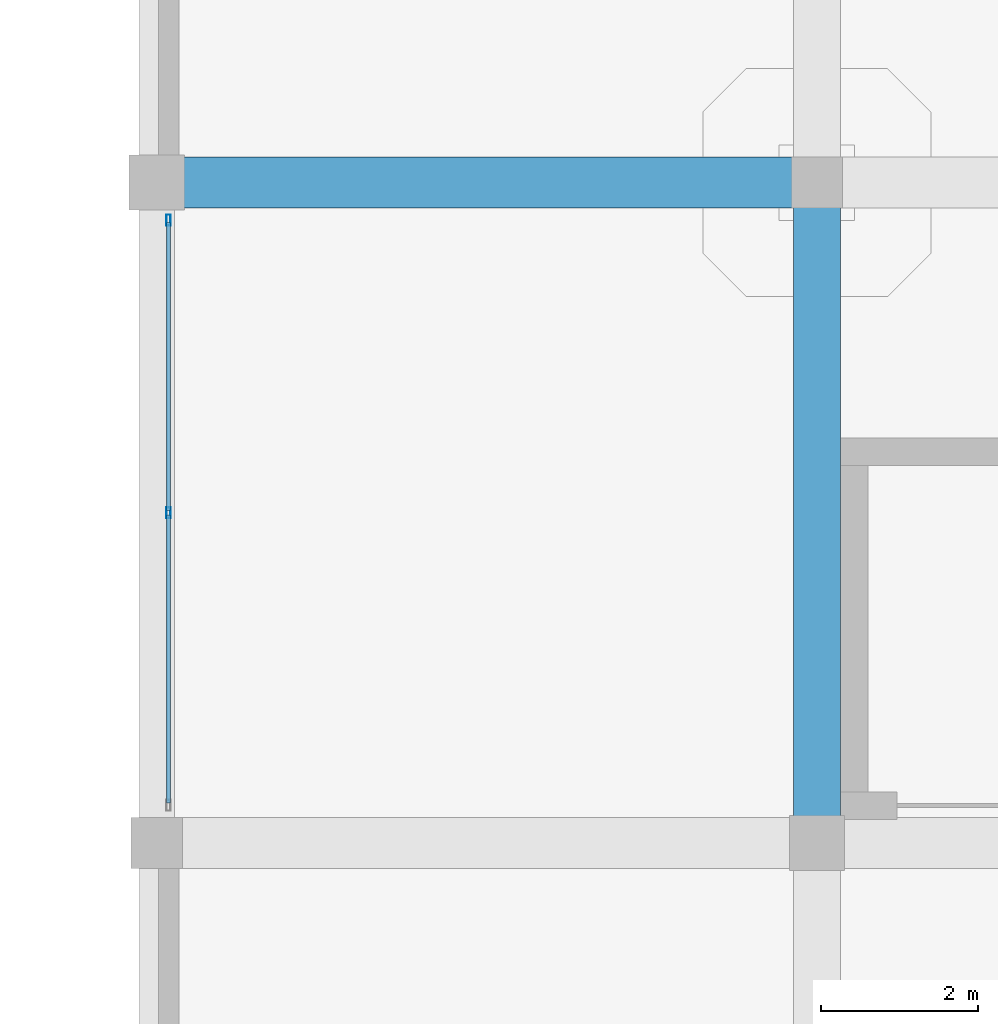
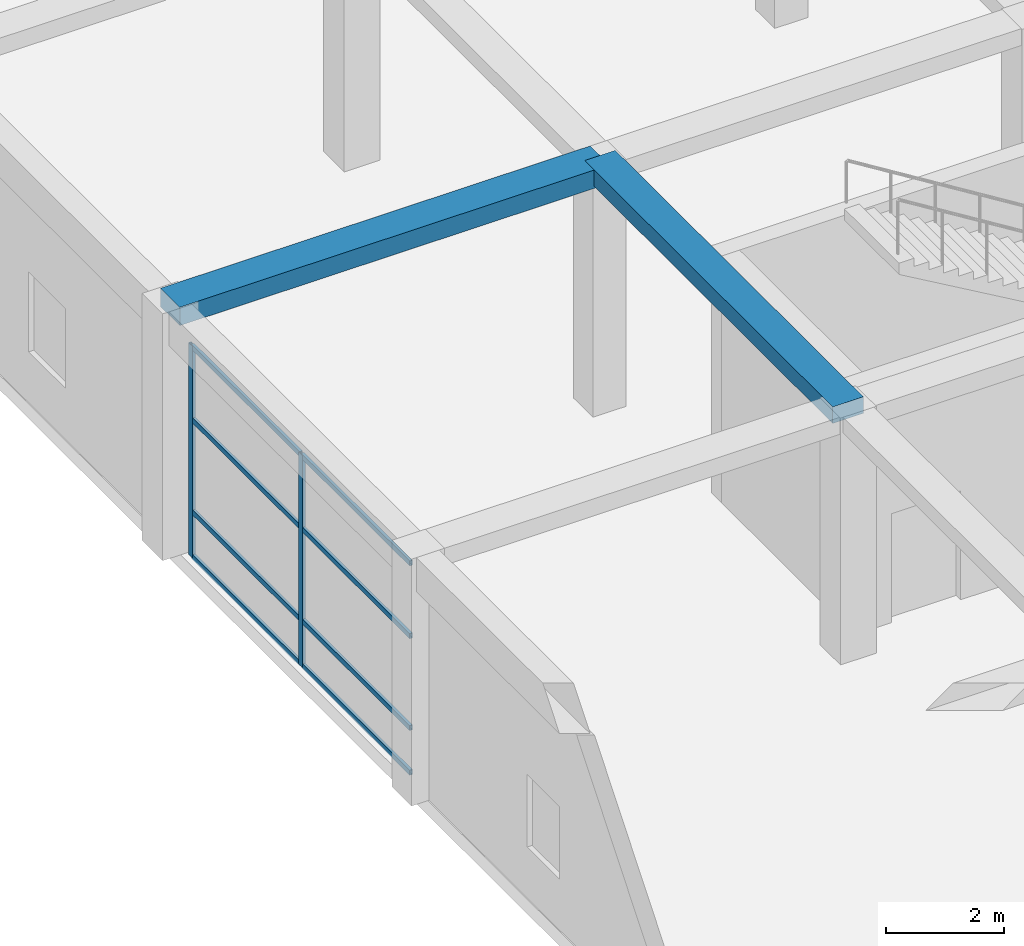
# One storey, part 29 of 95: 10 members, 2 beams, 1 element without a shape of its own.
"""IFC4 building model written with IfcOpenShell, lengths in metres."""

from ifc_helpers import new_model, si_unit, direction, frame, origin, origin_2d, place, context, subcontext, project, spatial, rectangle, hollow_rectangle, extrude, material, material_profile, profile_set, type_object, element, aggregate, save


model = new_model("IFC4")

# Units and contexts
model_context = context("Model", 3, precision=1e-05, world=origin(), true_north=direction((0.0, 1.0)))
body_context = subcontext(model_context, "Body", "Model", "MODEL_VIEW")
ifc_project = project(units=[si_unit("LENGTHUNIT", "METRE"), si_unit("AREAUNIT", "SQUARE_METRE"), si_unit("VOLUMEUNIT", "CUBIC_METRE"), si_unit("PLANEANGLEUNIT", "RADIAN"), si_unit("MASSUNIT", "GRAM", prefix="KILO")], contexts=[model_context])

# Site, building, storey
site_placement = place(None, origin())
site = spatial("IfcSite", under=ifc_project, at=site_placement, CompositionType="ELEMENT")
building_placement = place(site_placement, origin())
building = spatial("IfcBuilding", under=site, at=building_placement, Name="Almacenes y Pasaje Nevantli", CompositionType="ELEMENT")
storey_placement = place(building_placement, frame((0.0, 0.0, 11.39990234375)))
storey = spatial("IfcBuildingStorey", under=building, at=storey_placement, Name="L03", CompositionType="ELEMENT", Elevation=11.39990234375)

# Beams
ifc_material_1 = material(Name="Concrete C35/45", Category="concrete")
ifc_material_profile_1 = material_profile(ifc_material_1, rectangle(XDim=0.60009765625, YDim=0.340087890625, at=origin_2d()), Name="RC-BM-600x340")
ifc_profile_set_1 = profile_set([ifc_material_profile_1], Name="Concrete C35/45")
beam_type_1 = type_object("IfcBeamType", Name="BM-RC-600x340", PredefinedType="BEAM", material=ifc_profile_set_1)
beam_1_placement = place(storey_placement, frame((8.39990234375, 58.800048828125, 4.93017578125), z_axis=(0.0, 1.0, 0.0), x_axis=(-1.0, 0.0, 0.0)))
element("IfcBeam", 1, at=beam_1_placement, inside=storey, type_object=beam_type_1, Name="L03 North-South Reinforced Concrete Beam #2495", PredefinedType="BEAM", context=body_context, shape_type="SweptSolid", body=[
    extrude(rectangle(XDim=0.60009765625, YDim=0.340087890625, at=origin_2d()), origin(), (0.0, 0.0, 1.0), 8.39990234375),
])
ifc_material_2 = material(Name="Concrete C35/45", Category="concrete")
ifc_material_profile_2 = material_profile(ifc_material_2, rectangle(XDim=0.64990234375, YDim=0.3798828125, at=origin_2d()), Name="RC-BM-650x380")
ifc_profile_set_2 = profile_set([ifc_material_profile_2], Name="Concrete C35/45")
beam_type_2 = type_object("IfcBeamType", Name="BM-RC-650x380", PredefinedType="BEAM", material=ifc_profile_set_2)
beam_2_placement = place(storey_placement, frame((0.0, 67.199951171875, 4.91015625), z_axis=(1.0, 0.0, 0.0), x_axis=(0.0, 1.0, 0.0)))
element("IfcBeam", 2, at=beam_2_placement, inside=storey, type_object=beam_type_2, Name="L03 East-West Reinforced Concrete Beam #2361", PredefinedType="BEAM", context=body_context, shape_type="SweptSolid", body=[
    extrude(rectangle(XDim=0.64990234375, YDim=0.3798828125, at=origin_2d()), origin(), (0.0, 0.0, 1.0), 8.39990234375),
])

# Curtain wall, members
ifc_material_3 = material(Name="Thermally Broken Aluminium and Low-E Glass", Category="aluminium")
curtain_wall_type = type_object("IfcCurtainWallType", Name="CW-UNIT-PODIUM", PredefinedType="USERDEFINED", material=ifc_material_3)
curtain_wall_placement = place(storey_placement, origin())
curtain_wall = element("IfcCurtainWall", 3, at=curtain_wall_placement, inside=storey, type_object=curtain_wall_type, Name="L03 West Avenue Unitized Curtain Wall Bay 8", ObjectType="UNITIZED CURTAIN WALL", PredefinedType="USERDEFINED")
ifc_material_4 = material(Name="Thermally Broken Anodized Aluminium", Category="aluminium")
ifc_material_profile_3 = material_profile(ifc_material_4, hollow_rectangle(XDim=0.054931640625, YDim=0.139892578125, WallThickness=0.00341796875, at=origin_2d()), Name="ALU-MUL-55x140")
ifc_profile_set_3 = profile_set([ifc_material_profile_3], Name="Thermally Broken Anodized Aluminium")
member_type_1 = type_object("IfcMemberType", Name="CW-MUL-160", PredefinedType="MULLION", material=ifc_profile_set_3)
member_1_placement = place(storey_placement, frame((0.14990234375, 63.0, 0.0), z_axis=(0.0, 0.0, 1.0), x_axis=(-1.0, 0.0, 0.0)))
member_1 = element("IfcMember", 4, at=member_1_placement, type_object=member_type_1, Name="CW-L03-050 mullion 2", PredefinedType="MULLION", context=body_context, shape_type="SweptSolid", body=[
    extrude(hollow_rectangle(XDim=0.054931640625, YDim=0.139892578125, WallThickness=0.00341796875, at=origin_2d()), origin(), (0.0, 0.0, 1.0), 4.380126953125),
])
member_2_placement = place(storey_placement, frame((0.14990234375, 66.722412109375, 0.0), z_axis=(0.0, 0.0, 1.0), x_axis=(-1.0, 0.0, 0.0)))
member_2 = element("IfcMember", 5, at=member_2_placement, type_object=member_type_1, Name="CW-L03-050 mullion 3", PredefinedType="MULLION", context=body_context, shape_type="SweptSolid", body=[
    extrude(hollow_rectangle(XDim=0.054931640625, YDim=0.139892578125, WallThickness=0.00341796875, at=origin_2d()), origin(), (0.0, 0.0, 1.0), 4.380126953125),
])
ifc_material_5 = material(Name="Thermally Broken Anodized Aluminium", Category="aluminium")
ifc_material_profile_4 = material_profile(ifc_material_5, hollow_rectangle(XDim=0.054931640625, YDim=0.10498046875, WallThickness=0.003173828125, at=origin_2d()), Name="ALU-TRN-55x105")
ifc_profile_set_4 = profile_set([ifc_material_profile_4], Name="Thermally Broken Anodized Aluminium")
member_type_2 = type_object("IfcMemberType", Name="CW-TRN-120", PredefinedType="USERDEFINED", material=ifc_profile_set_4)
member_3_placement = place(storey_placement, frame((0.14990234375, 59.304931640625, 0.027587890625), z_axis=(0.0, 1.0, 0.0), x_axis=(-1.0, 0.0, 0.0)))
member_3 = element("IfcMember", 6, at=member_3_placement, type_object=member_type_2, Name="CW-L03-050 transom 1.1", ObjectType="TRANSOM", PredefinedType="USERDEFINED", context=body_context, shape_type="SweptSolid", body=[
    extrude(hollow_rectangle(XDim=0.054931640625, YDim=0.10498046875, WallThickness=0.003173828125, at=origin_2d()), origin(), (0.0, 0.0, 1.0), 3.66748046875),
])
member_4_placement = place(storey_placement, frame((0.14990234375, 59.304931640625, 0.9501953125), z_axis=(0.0, 1.0, 0.0), x_axis=(-1.0, 0.0, 0.0)))
member_4 = element("IfcMember", 7, at=member_4_placement, type_object=member_type_2, Name="CW-L03-050 transom 1.2", ObjectType="TRANSOM", PredefinedType="USERDEFINED", context=body_context, shape_type="SweptSolid", body=[
    extrude(hollow_rectangle(XDim=0.054931640625, YDim=0.10498046875, WallThickness=0.003173828125, at=origin_2d()), origin(), (0.0, 0.0, 1.0), 3.66748046875),
])
member_5_placement = place(storey_placement, frame((0.14990234375, 59.304931640625, 2.85009765625), z_axis=(0.0, 1.0, 0.0), x_axis=(-1.0, 0.0, 0.0)))
member_5 = element("IfcMember", 8, at=member_5_placement, type_object=member_type_2, Name="CW-L03-050 transom 1.3", ObjectType="TRANSOM", PredefinedType="USERDEFINED", context=body_context, shape_type="SweptSolid", body=[
    extrude(hollow_rectangle(XDim=0.054931640625, YDim=0.10498046875, WallThickness=0.003173828125, at=origin_2d()), origin(), (0.0, 0.0, 1.0), 3.66748046875),
])
member_6_placement = place(storey_placement, frame((0.14990234375, 59.304931640625, 4.3525390625), z_axis=(0.0, 1.0, 0.0), x_axis=(-1.0, 0.0, 0.0)))
member_6 = element("IfcMember", 9, at=member_6_placement, type_object=member_type_2, Name="CW-L03-050 transom 1.4", ObjectType="TRANSOM", PredefinedType="USERDEFINED", context=body_context, shape_type="SweptSolid", body=[
    extrude(hollow_rectangle(XDim=0.054931640625, YDim=0.10498046875, WallThickness=0.003173828125, at=origin_2d()), origin(), (0.0, 0.0, 1.0), 3.66748046875),
])
member_7_placement = place(storey_placement, frame((0.14990234375, 63.027587890625, 0.027587890625), z_axis=(0.0, 1.0, 0.0), x_axis=(-1.0, 0.0, 0.0)))
member_7 = element("IfcMember", 10, at=member_7_placement, type_object=member_type_2, Name="CW-L03-050 transom 2.1", ObjectType="TRANSOM", PredefinedType="USERDEFINED", context=body_context, shape_type="SweptSolid", body=[
    extrude(hollow_rectangle(XDim=0.054931640625, YDim=0.10498046875, WallThickness=0.003173828125, at=origin_2d()), origin(), (0.0, 0.0, 1.0), 3.66748046875),
])
member_8_placement = place(storey_placement, frame((0.14990234375, 63.027587890625, 0.9501953125), z_axis=(0.0, 1.0, 0.0), x_axis=(-1.0, 0.0, 0.0)))
member_8 = element("IfcMember", 11, at=member_8_placement, type_object=member_type_2, Name="CW-L03-050 transom 2.2", ObjectType="TRANSOM", PredefinedType="USERDEFINED", context=body_context, shape_type="SweptSolid", body=[
    extrude(hollow_rectangle(XDim=0.054931640625, YDim=0.10498046875, WallThickness=0.003173828125, at=origin_2d()), origin(), (0.0, 0.0, 1.0), 3.66748046875),
])
member_9_placement = place(storey_placement, frame((0.14990234375, 63.027587890625, 2.85009765625), z_axis=(0.0, 1.0, 0.0), x_axis=(-1.0, 0.0, 0.0)))
member_9 = element("IfcMember", 12, at=member_9_placement, type_object=member_type_2, Name="CW-L03-050 transom 2.3", ObjectType="TRANSOM", PredefinedType="USERDEFINED", context=body_context, shape_type="SweptSolid", body=[
    extrude(hollow_rectangle(XDim=0.054931640625, YDim=0.10498046875, WallThickness=0.003173828125, at=origin_2d()), origin(), (0.0, 0.0, 1.0), 3.66748046875),
])
member_10_placement = place(storey_placement, frame((0.14990234375, 63.027587890625, 4.3525390625), z_axis=(0.0, 1.0, 0.0), x_axis=(-1.0, 0.0, 0.0)))
member_10 = element("IfcMember", 13, at=member_10_placement, type_object=member_type_2, Name="CW-L03-050 transom 2.4", ObjectType="TRANSOM", PredefinedType="USERDEFINED", context=body_context, shape_type="SweptSolid", body=[
    extrude(hollow_rectangle(XDim=0.054931640625, YDim=0.10498046875, WallThickness=0.003173828125, at=origin_2d()), origin(), (0.0, 0.0, 1.0), 3.66748046875),
])
aggregate(curtain_wall, [member_1, member_2, member_3, member_4, member_5, member_6, member_7, member_8, member_9, member_10])

save(model, "model.ifc")
